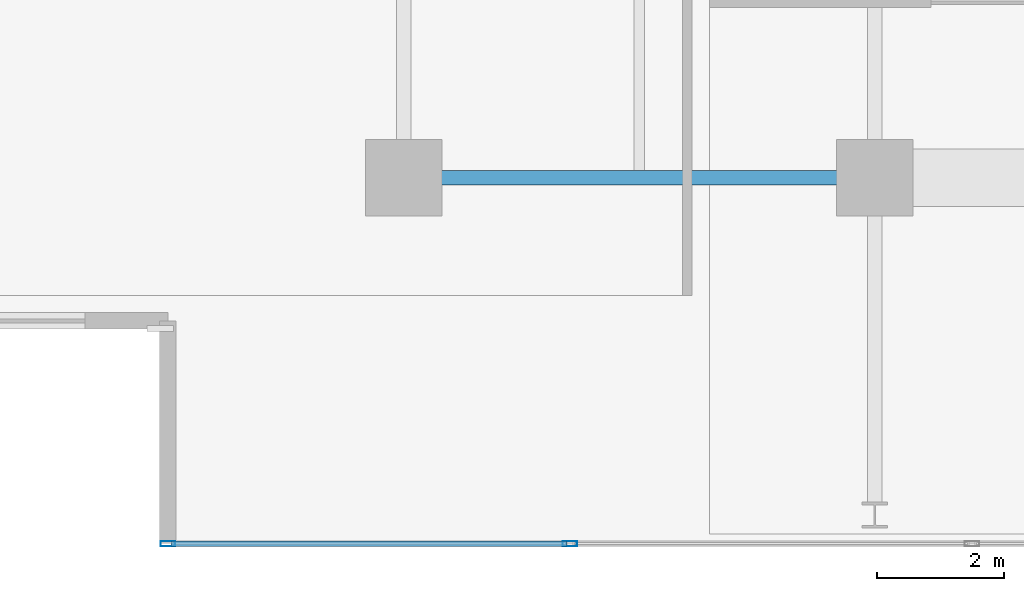
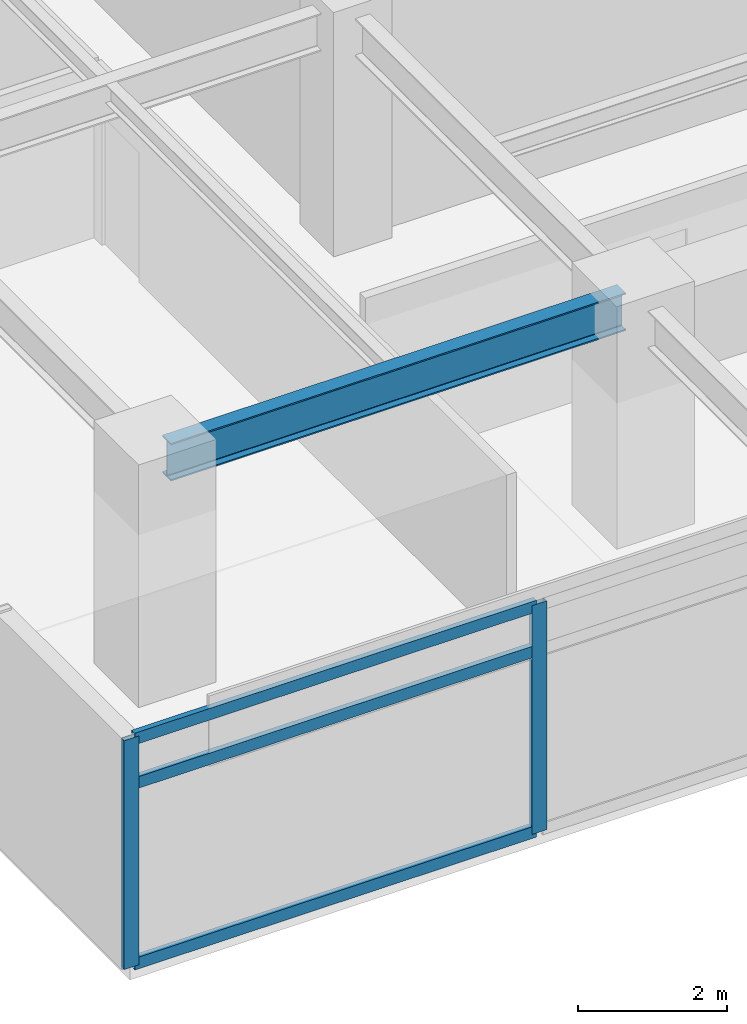
# One storey, part 2 of 24: 5 members, 1 beam, 1 element without a shape of its own.
"""IFC4 building model written with IfcOpenShell, lengths in metres."""

from ifc_helpers import new_model, si_unit, direction, frame, origin, origin_2d, place, context, subcontext, project, spatial, hollow_rectangle, i_section, extrude, material, material_profile, profile_set, type_object, element, aggregate, save


model = new_model("IFC4")

# Units and contexts
model_context = context("Model", 3, precision=1e-05, world=origin(), true_north=direction((0.0, 1.0)))
body_context = subcontext(model_context, "Body", "Model", "MODEL_VIEW")
ifc_project = project(units=[si_unit("LENGTHUNIT", "METRE"), si_unit("AREAUNIT", "SQUARE_METRE"), si_unit("VOLUMEUNIT", "CUBIC_METRE"), si_unit("PLANEANGLEUNIT", "RADIAN"), si_unit("MASSUNIT", "GRAM", prefix="KILO")], contexts=[model_context])

# Site, building, storey
site_placement = place(None, origin())
site = spatial("IfcSite", under=ifc_project, at=site_placement, CompositionType="ELEMENT")
building_placement = place(site_placement, origin())
building = spatial("IfcBuilding", under=site, at=building_placement, Name="Kovane Verandah Tower", CompositionType="ELEMENT")
storey_placement = place(building_placement, frame((0.0, 0.0, 271.199951171875)))
storey = spatial("IfcBuildingStorey", under=building, at=storey_placement, Name="L63", CompositionType="ELEMENT", Elevation=271.199951171875)

# Beam
ifc_material_1 = material(Name="Steel S355", Category="steel")
ifc_material_profile_1 = material_profile(ifc_material_1, i_section(OverallWidth=0.230224609375, OverallDepth=0.6171875, WebThickness=0.01318359375, FlangeThickness=0.022216796875, FilletRadius=0.0126953125, at=origin_2d()), Name="UB610x229x140")
ifc_profile_set_1 = profile_set([ifc_material_profile_1], Name="Steel S355")
beam_type = type_object("IfcBeamType", Name="BM-UB610x140", PredefinedType="BEAM", material=ifc_profile_set_1)
beam_placement = place(storey_placement, frame((21.780029296875, 10.800048828125, 3.4765625), z_axis=(1.0, 0.0, 0.0), x_axis=(0.0, 1.0, 0.0)))
element("IfcBeam", 1, at=beam_placement, inside=storey, type_object=beam_type, Name="L63 Primary Tower Girder G-RS1", PredefinedType="BEAM", context=body_context, shape_type="SweptSolid", body=[
    extrude(i_section(OverallWidth=0.230224609375, OverallDepth=0.6171875, WebThickness=0.01318359375, FlangeThickness=0.022216796875, FilletRadius=0.0126953125, at=origin_2d()), origin(), (0.0, 0.0, 1.0), 7.0400390625),
])

# Curtain wall, members
ifc_material_2 = material(Name="Champagne Anodised Aluminium Frame with Low-E Clear Laminated Glass", Category="aluminium")
curtain_wall_type = type_object("IfcCurtainWallType", Name="CW-SYS-05-HIGH", PredefinedType="NOTDEFINED", material=ifc_material_2)
curtain_wall_placement = place(storey_placement, origin())
curtain_wall = element("IfcCurtainWall", 2, at=curtain_wall_placement, inside=storey, type_object=curtain_wall_type, Name="L63 S Unitised Curtain Wall", PredefinedType="NOTDEFINED")
ifc_material_3 = material(Name="Champagne Anodised Aluminium 6063-T6", Category="aluminium")
ifc_material_profile_2 = material_profile(ifc_material_3, hollow_rectangle(XDim=0.0849609375, YDim=0.22998046875, WallThickness=0.00390625, at=origin_2d()), Name="AL85x230x4")
ifc_profile_set_2 = profile_set([ifc_material_profile_2], Name="Champagne Anodised Aluminium 6063-T6")
member_type_1 = type_object("IfcMemberType", Name="CW-MUL-85x230", PredefinedType="MULLION", material=ifc_profile_set_2)
member_1_placement = place(storey_placement, frame((17.892822265625, 5.05029296875, 0.02001953125), z_axis=(0.0, 0.0, 1.0), x_axis=(0.0, -1.0, 0.0)))
member_1 = element("IfcMember", 3, at=member_1_placement, type_object=member_type_1, Name="L63 S Unitised Curtain Wall Mullion 1", PredefinedType="MULLION", context=body_context, shape_type="SweptSolid", body=[
    extrude(hollow_rectangle(XDim=0.0849609375, YDim=0.22998046875, WallThickness=0.00390625, at=origin_2d()), origin(), (0.0, 0.0, 1.0), 3.7451171875),
])
member_2_placement = place(storey_placement, frame((24.208984375, 5.05029296875, 0.02001953125), z_axis=(0.0, 0.0, 1.0), x_axis=(0.0, -1.0, 0.0)))
member_2 = element("IfcMember", 4, at=member_2_placement, type_object=member_type_1, Name="L63 S Unitised Curtain Wall Mullion 2", PredefinedType="MULLION", context=body_context, shape_type="SweptSolid", body=[
    extrude(hollow_rectangle(XDim=0.0849609375, YDim=0.22998046875, WallThickness=0.00390625, at=origin_2d()), origin(), (0.0, 0.0, 1.0), 3.7451171875),
])
ifc_material_profile_3 = material_profile(ifc_material_3, hollow_rectangle(XDim=0.0849609375, YDim=0.18994140625, WallThickness=0.00390625, at=origin_2d()), Name="AL85x190x4")
ifc_profile_set_3 = profile_set([ifc_material_profile_3], Name="Champagne Anodised Aluminium 6063-T6")
member_type_2 = type_object("IfcMemberType", Name="CW-TRN-85x190", PredefinedType="USERDEFINED", material=ifc_profile_set_3)
member_3_placement = place(storey_placement, frame((17.94287109375, 5.05029296875, 0.050048828125), z_axis=(1.0, 0.0, 0.0), x_axis=(0.0, 1.0, 0.0)))
member_3 = element("IfcMember", 5, at=member_3_placement, type_object=member_type_2, Name="L63 S Unitised Curtain Wall Transom TB Bay 1", ObjectType="TRANSOM", PredefinedType="USERDEFINED", context=body_context, shape_type="SweptSolid", body=[
    extrude(hollow_rectangle(XDim=0.0849609375, YDim=0.18994140625, WallThickness=0.00390625, at=origin_2d()), origin(), (0.0, 0.0, 1.0), 6.21630859375),
])
member_4_placement = place(storey_placement, frame((17.94287109375, 5.05029296875, 3.005126953125), z_axis=(1.0, 0.0, 0.0), x_axis=(0.0, 1.0, 0.0)))
member_4 = element("IfcMember", 6, at=member_4_placement, type_object=member_type_2, Name="L63 S Unitised Curtain Wall Transom TM Bay 1", ObjectType="TRANSOM", PredefinedType="USERDEFINED", context=body_context, shape_type="SweptSolid", body=[
    extrude(hollow_rectangle(XDim=0.0849609375, YDim=0.18994140625, WallThickness=0.00390625, at=origin_2d()), origin(), (0.0, 0.0, 1.0), 6.21630859375),
])
member_5_placement = place(storey_placement, frame((17.94287109375, 5.05029296875, 3.735107421875), z_axis=(1.0, 0.0, 0.0), x_axis=(0.0, 1.0, 0.0)))
member_5 = element("IfcMember", 7, at=member_5_placement, type_object=member_type_2, Name="L63 S Unitised Curtain Wall Transom TT Bay 1", ObjectType="TRANSOM", PredefinedType="USERDEFINED", context=body_context, shape_type="SweptSolid", body=[
    extrude(hollow_rectangle(XDim=0.0849609375, YDim=0.18994140625, WallThickness=0.00390625, at=origin_2d()), origin(), (0.0, 0.0, 1.0), 6.21630859375),
])
aggregate(curtain_wall, [member_1, member_2, member_3, member_4, member_5])

save(model, "model.ifc")
